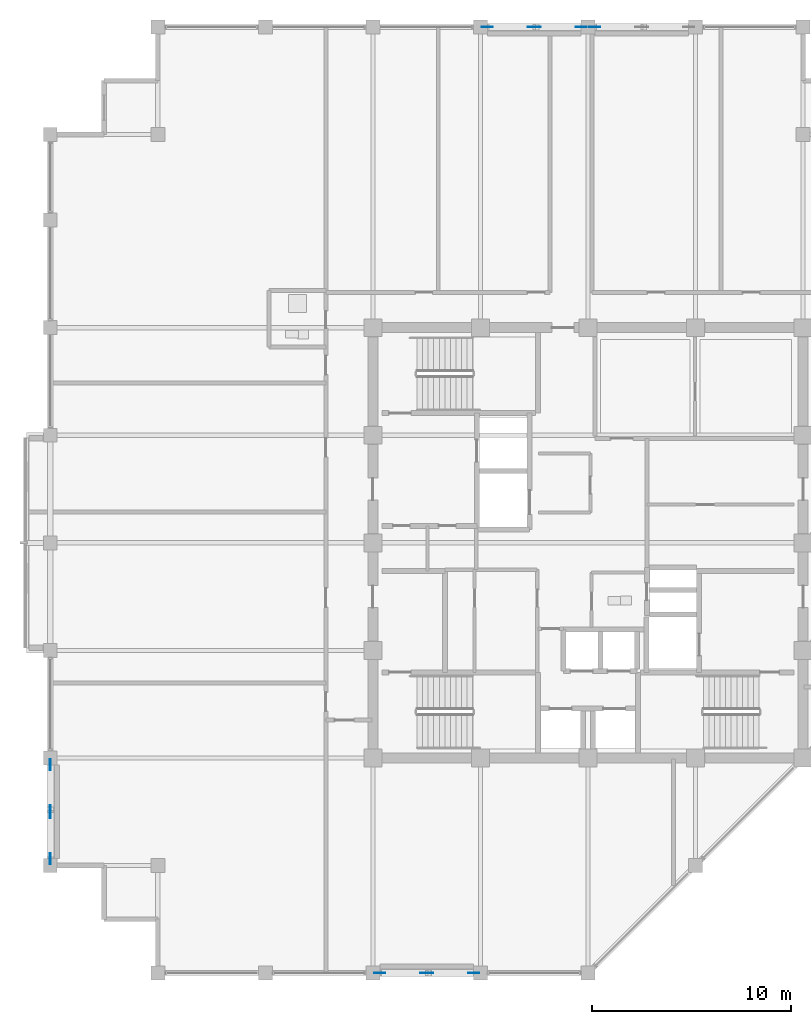
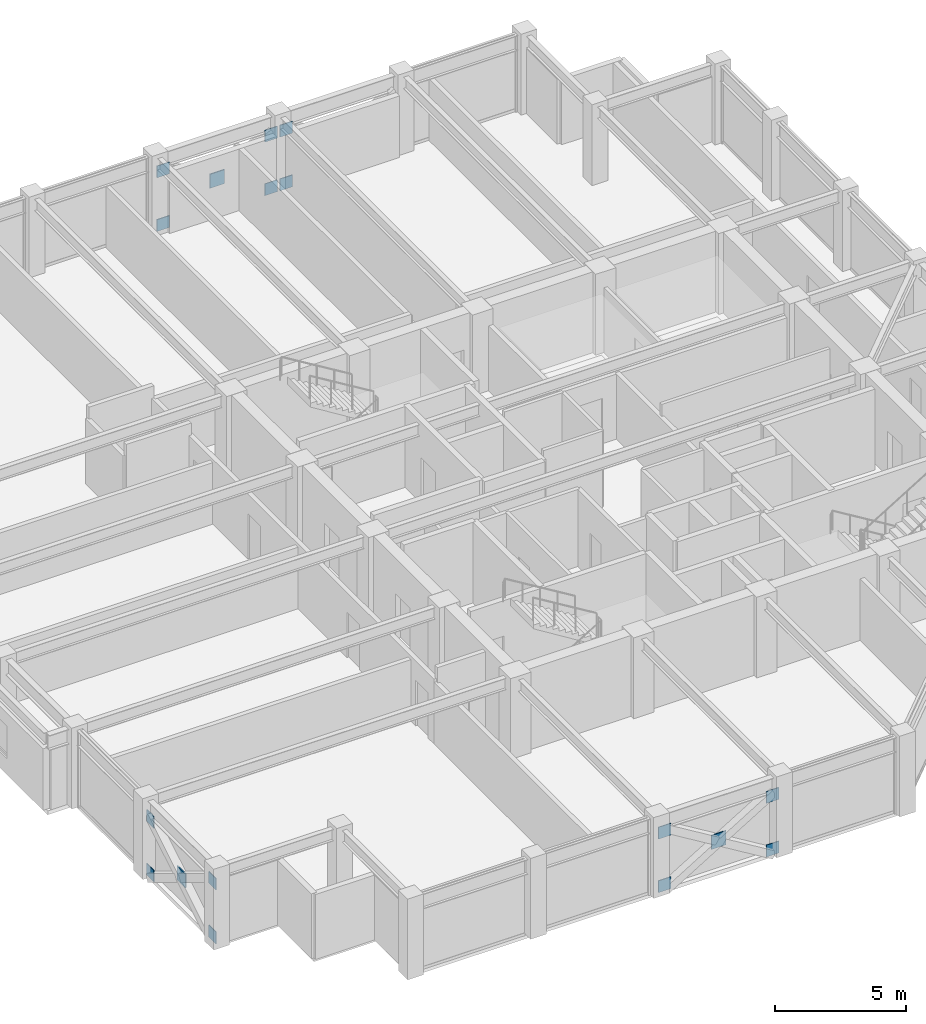
# One storey, part 22 of 30: 17 plates.
"""IFC4 building model written with IfcOpenShell, lengths in metres."""

from ifc_helpers import new_model, si_unit, direction, frame, origin, origin_2d, place, context, subcontext, project, spatial, rectangle, extrude, material, layer, layer_set, type_object, element, save


model = new_model("IFC4")

# Units and contexts
model_context = context("Model", 3, precision=1e-05, world=origin(), true_north=direction((0.0, 1.0)))
body_context = subcontext(model_context, "Body", "Model", "MODEL_VIEW")
ifc_project = project(units=[si_unit("LENGTHUNIT", "METRE"), si_unit("AREAUNIT", "SQUARE_METRE"), si_unit("VOLUMEUNIT", "CUBIC_METRE"), si_unit("PLANEANGLEUNIT", "RADIAN"), si_unit("MASSUNIT", "GRAM", prefix="KILO")], contexts=[model_context])

# Site, building, storey
site_placement = place(None, origin())
site = spatial("IfcSite", under=ifc_project, at=site_placement, CompositionType="ELEMENT")
building_placement = place(site_placement, origin())
building = spatial("IfcBuilding", under=site, at=building_placement, Name="Surkhivell Harbour Commons", CompositionType="ELEMENT")
storey_placement = place(building_placement, frame((0.0, 0.0, 307.5)))
storey = spatial("IfcBuildingStorey", under=building, at=storey_placement, Name="L80", CompositionType="ELEMENT", Elevation=307.5)

# Plates
ifc_material = material(Name="Steel S460", Category="steel")
ifc_layer_1 = layer(ifc_material, 0.035888671875)
ifc_layer_set_1 = layer_set([ifc_layer_1], Name="Steel S460")
plate_type_1 = type_object("IfcPlateType", Name="PLT-GUS-550", PredefinedType="USERDEFINED", material=ifc_layer_set_1)
for number, where, z_axis, x_axis, name in (
    (1, (-5.06494140625, 25.89990234375, -0.07470703125), (0.0, 0.0, 1.0), (1.0, 0.0, 0.0), "L80 Perimeter Mega-Brace MB- Corner Gusset N-1"),
    (2, (-0.3349609375, 25.89990234375, -0.07470703125), (0.0, 0.0, 1.0), (1.0, 0.0, 0.0), "L80 Perimeter Mega-Brace MB- Corner Gusset N-2"),
    (3, (-5.06494140625, 25.89990234375, 2.41357421875), (0.0, 0.0, 1.0), (1.0, 0.0, 0.0), "L80 Perimeter Mega-Brace MB- Corner Gusset N-3"),
    (4, (-0.3349609375, 25.89990234375, 2.41357421875), (0.0, 0.0, 1.0), (1.0, 0.0, 0.0), "L80 Perimeter Mega-Brace MB- Corner Gusset N-4"),
    (5, (0.3349609375, 25.89990234375, -0.07470703125), (0.0, 0.0, 1.0), (1.0, 0.0, 0.0), "L80 Perimeter Mega-Brace MB- Corner Gusset N2-1"),
    (6, (0.3349609375, 25.89990234375, 2.41357421875), (0.0, 0.0, 1.0), (1.0, 0.0, 0.0), "L80 Perimeter Mega-Brace MB- Corner Gusset N2-3"),
    (7, (-10.465087890625, -21.60009765625, -0.07470703125), (0.0, 0.0, 1.0), (1.0, 0.0, 0.0), "L80 Perimeter Mega-Brace MB- Corner Gusset S-1"),
    (8, (-5.735107421875, -21.60009765625, -0.07470703125), (0.0, 0.0, 1.0), (1.0, 0.0, 0.0), "L80 Perimeter Mega-Brace MB- Corner Gusset S-2"),
    (9, (-10.465087890625, -21.60009765625, 2.41357421875), (0.0, 0.0, 1.0), (1.0, 0.0, 0.0), "L80 Perimeter Mega-Brace MB- Corner Gusset S-3"),
    (10, (-5.735107421875, -21.60009765625, 2.41357421875), (0.0, 0.0, 1.0), (1.0, 0.0, 0.0), "L80 Perimeter Mega-Brace MB- Corner Gusset S-4"),
    (11, (-27.0, -15.864990234375, -0.07470703125), (0.0, 0.0, 1.0), (0.0, 1.0, 0.0), "L80 Perimeter Mega-Brace MB- Corner Gusset W-1"),
    (12, (-27.0, -11.135009765625, -0.07470703125), (0.0, 0.0, 1.0), (0.0, 1.0, 0.0), "L80 Perimeter Mega-Brace MB- Corner Gusset W-2"),
    (13, (-27.0, -15.864990234375, 2.41357421875), (0.0, 0.0, 1.0), (0.0, 1.0, 0.0), "L80 Perimeter Mega-Brace MB- Corner Gusset W-3"),
    (14, (-27.0, -11.135009765625, 2.41357421875), (0.0, 0.0, 1.0), (0.0, 1.0, 0.0), "L80 Perimeter Mega-Brace MB- Corner Gusset W-4"),
):
    element("IfcPlate", number, at=place(storey_placement, frame(where, z_axis=z_axis, x_axis=x_axis)), inside=storey, type_object=plate_type_1, Name=name, ObjectType="GUSSET_PLATE", PredefinedType="USERDEFINED", context=body_context, shape_type="SweptSolid", body=[
        extrude(rectangle(XDim=0.550048828125, YDim=0.035888671875, at=origin_2d()), origin(), (0.0, 0.0, 1.0), 0.550048828125),
    ])
ifc_layer_2 = layer(ifc_material, 0.044921875)
ifc_layer_set_2 = layer_set([ifc_layer_2], Name="Steel S460")
plate_type_2 = type_object("IfcPlateType", Name="PLT-GUS-650", PredefinedType="USERDEFINED", material=ifc_layer_set_2)
for number, where, z_axis, x_axis, name in (
    (15, (-2.699951171875, 25.89990234375, 1.11962890625), (0.0, 0.0, 1.0), (1.0, 0.0, 0.0), "L80 Perimeter Mega-Brace MB- Central Crossing Gusset N"),
    (16, (-8.10009765625, -21.60009765625, 1.11962890625), (0.0, 0.0, 1.0), (1.0, 0.0, 0.0), "L80 Perimeter Mega-Brace MB- Central Crossing Gusset S"),
    (17, (-27.0, -13.5, 1.11962890625), (0.0, 0.0, 1.0), (0.0, 1.0, 0.0), "L80 Perimeter Mega-Brace MB- Central Crossing Gusset W"),
):
    element("IfcPlate", number, at=place(storey_placement, frame(where, z_axis=z_axis, x_axis=x_axis)), inside=storey, type_object=plate_type_2, Name=name, ObjectType="GUSSET_PLATE", PredefinedType="USERDEFINED", context=body_context, shape_type="SweptSolid", body=[
        extrude(rectangle(XDim=0.64990234375, YDim=0.044921875, at=origin_2d()), origin(), (0.0, 0.0, 1.0), 0.64990234375),
    ])

save(model, "model.ifc")
